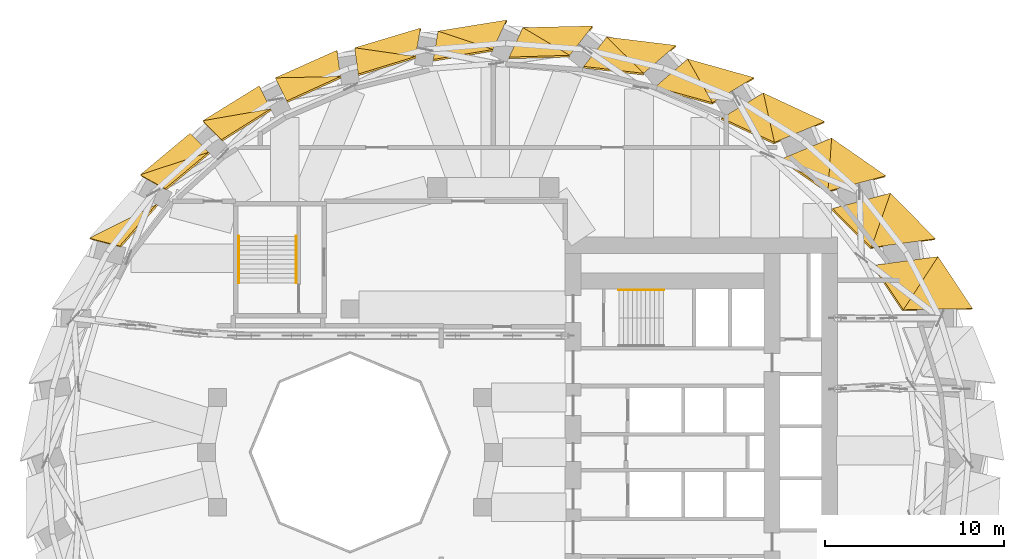
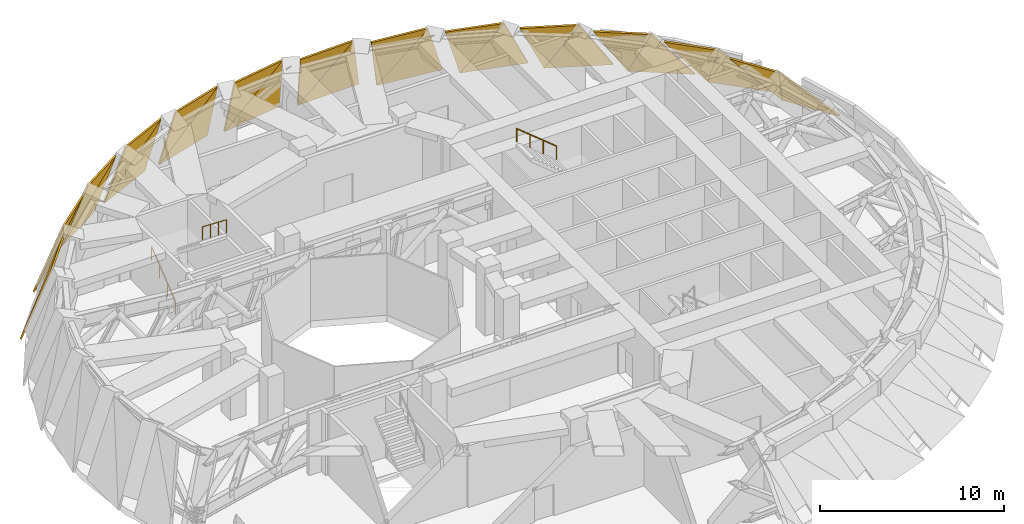
# One storey, part 14 of 14: 25 shading devices, 3 railings.
"""IFC4 building model written with IfcOpenShell, lengths in metres."""

import ifcopenshell
import ifcopenshell.guid

model = None  # the IFC model being written
_history = None  # IfcOwnerHistory: only IFC2X3 demands one
_inside = {}  # id of a spatial element -> (the spatial element, [elements in it])
_under = {}  # id of a project, library or spatial element -> (it, [spatial elements below it])
_declared = {}  # id of a project -> (the project, [libraries it declares])
_typed = {}  # id of a type object -> (the type object, [elements of that type])
_made_of = {}  # id of a material, layer set ... -> (it, [elements and type objects made of it])


def new_model(schema):
    """Start an empty IFC model of exactly this schema.

    Asked for "IFC4X3", IfcOpenShell would pick the latest addendum, in which some entities
    have other attributes; the version numbers below select the first issue.
    IFC2X3 requires an IfcOwnerHistory on every rooted entity: one is made here for all.
    """
    global model, _history
    if schema == "IFC4X3":
        model = ifcopenshell.file(schema_version=(4, 3, 0, 0))
    else:
        model = ifcopenshell.file(schema=schema)
    _inside.clear()
    _under.clear()
    _declared.clear()
    _typed.clear()
    _made_of.clear()
    _history = None
    if model.schema == "IFC2X3":
        org = make("IfcOrganization", Name="unknown")
        user = make(
            "IfcPersonAndOrganization",
            ThePerson=make("IfcPerson", FamilyName="unknown"),
            TheOrganization=org,
        )
        app = make(
            "IfcApplication",
            ApplicationDeveloper=org,
            Version="unknown",
            ApplicationFullName="unknown",
            ApplicationIdentifier="unknown",
        )
        _history = make(
            "IfcOwnerHistory",
            OwningUser=user,
            OwningApplication=app,
            ChangeAction="ADDED",
            CreationDate=0,
        )
    return model


def make(cls, **values):
    """One entity of the class cls with the attributes given. An attribute that is None is left unset."""
    return model.create_entity(
        cls, **{name: value for name, value in values.items() if value is not None}
    )


def rooted(cls, **values):
    """An entity with a GlobalId (a new one), such as an element, a storey or a relation."""
    return make(cls, GlobalId=ifcopenshell.guid.new(), OwnerHistory=_history, **values)


def si_unit(unit_type, name, prefix=None):
    """IfcSIUnit, for example si_unit("LENGTHUNIT", "METRE", prefix="MILLI")."""
    return make("IfcSIUnit", UnitType=unit_type, Prefix=prefix, Name=name)


def assignment(units):
    """IfcUnitAssignment: the units of a project."""
    return None if units is None else make("IfcUnitAssignment", Units=units)


def point(xyz):
    """IfcCartesianPoint."""
    return None if xyz is None else make("IfcCartesianPoint", Coordinates=xyz)


def direction(xyz):
    """IfcDirection."""
    return None if xyz is None else make("IfcDirection", DirectionRatios=xyz)


def frame(location, z_axis=None, x_axis=None):
    """IfcAxis2Placement3D, a coordinate frame: its origin and axes. An axis left out is left unset."""
    return make(
        "IfcAxis2Placement3D",
        Location=point(location),
        Axis=direction(z_axis),
        RefDirection=direction(x_axis),
    )


def frame_2d(location, x_axis=None):
    """IfcAxis2Placement2D, a coordinate frame in the plane: its origin and x axis."""
    return make(
        "IfcAxis2Placement2D", Location=point(location), RefDirection=direction(x_axis)
    )


def origin():
    """The frame at (0, 0, 0) with its axes left unset."""
    return frame((0.0, 0.0, 0.0))


def origin_2d():
    """The frame at (0, 0) in the plane with its x axis left unset."""
    return frame_2d((0.0, 0.0))


def place(relative_to, where):
    """IfcLocalPlacement: puts the frame where relative to a parent placement (None: the world)."""
    return make(
        "IfcLocalPlacement", PlacementRelTo=relative_to, RelativePlacement=where
    )


def context(
    kind, dimensions, precision=None, world=None, true_north=None, identifier=None
):
    """IfcGeometricRepresentationContext, for example the 3D "Model" context."""
    return make(
        "IfcGeometricRepresentationContext",
        ContextIdentifier=identifier,
        ContextType=kind,
        CoordinateSpaceDimension=dimensions,
        Precision=precision,
        WorldCoordinateSystem=world,
        TrueNorth=true_north,
    )


def subcontext(parent, identifier, kind, view, scale=None):
    """IfcGeometricRepresentationSubContext, for example "Body" below "Model"."""
    return make(
        "IfcGeometricRepresentationSubContext",
        ContextIdentifier=identifier,
        ContextType=kind,
        ParentContext=parent,
        TargetScale=scale,
        TargetView=view,
    )


def project(units=None, contexts=None):
    """IfcProject with its units and contexts."""
    return rooted(
        "IfcProject",
        Name="project",
        RepresentationContexts=contexts,
        UnitsInContext=assignment(units),
    )


def spatial(cls, under=None, at=None, **own):
    """A site, building, storey or space (cls), placed at a placement, below another one or the project."""
    s = rooted(cls, ObjectPlacement=at, **own)
    if under is not None:
        _under.setdefault(under.id(), (under, []))[1].append(s)
    return s


def polyline(points):
    """IfcPolyline through the points."""
    return make("IfcPolyline", Points=[point(p) for p in points])


def profile(cls, at=None, kind="AREA", **sizes):
    """A parametric profile (cls). Its sizes go by their IFC names, for example OverallWidth=200.0."""
    return make(cls, ProfileType=kind, Position=at, **sizes)


def circle(**sizes):
    """IfcCircleProfileDef."""
    return profile("IfcCircleProfileDef", **sizes)


def outline(outer, holes=None, kind="AREA"):
    """IfcArbitraryClosedProfileDef: a profile drawn as a closed curve; with holes, ...WithVoids."""
    if holes is None:
        return make("IfcArbitraryClosedProfileDef", ProfileType=kind, OuterCurve=outer)
    return make(
        "IfcArbitraryProfileDefWithVoids",
        ProfileType=kind,
        OuterCurve=outer,
        InnerCurves=holes,
    )


def extrude(swept, where, along, depth):
    """IfcExtrudedAreaSolid: the profile swept, set in the frame where, extruded along a direction by depth."""
    return make(
        "IfcExtrudedAreaSolid",
        SweptArea=swept,
        Position=where,
        ExtrudedDirection=direction(along),
        Depth=depth,
    )


def shape(context_of_items, identifier, shape_type, items):
    """IfcShapeRepresentation: the items that make up one representation, for example the "Body"."""
    return make(
        "IfcShapeRepresentation",
        ContextOfItems=context_of_items,
        RepresentationIdentifier=identifier,
        RepresentationType=shape_type,
        Items=items,
    )


def material(Name=None, Category=None):
    """IfcMaterial."""
    return make("IfcMaterial", Name=Name, Category=Category)


def layer(
    of_material, thickness, ventilated=None, Name=None, Category=None, Priority=None
):
    """IfcMaterialLayer: one layer of a wall or slab, of a material (None: an air gap)."""
    return make(
        "IfcMaterialLayer",
        Material=of_material,
        LayerThickness=thickness,
        IsVentilated=ventilated,
        Name=Name,
        Category=Category,
        Priority=Priority,
    )


def layer_set(layers, Name=None):
    """IfcMaterialLayerSet."""
    return make("IfcMaterialLayerSet", MaterialLayers=layers, LayerSetName=Name)


def made_of(thing, what):
    """Note that an element or type object is made of a material, layer set ...; save() writes the relation."""
    if what is not None:
        _made_of.setdefault(what.id(), (what, []))[1].append(thing)
    return thing


def type_object(cls, material=None, **own):
    """A type object (cls), such as IfcWallType, which elements share."""
    return made_of(rooted(cls, **own), material)


def element(
    cls,
    number,
    at=None,
    inside=None,
    cuts=None,
    type_object=None,
    material=None,
    context=None,
    identifier="Body",
    shape_type=None,
    held_by="IfcProductDefinitionShape",
    body=None,
    shapes=None,
    **own,
):
    """One element of the class cls, such as IfcWall. Its Tag is "e" and its number.

    at: its placement. inside: the storey or other place that contains it. cuts: it is an
    opening in that element (IfcRelVoidsElement). A single representation is given by context,
    identifier, shape_type and body (its items); several are given by shapes. held_by: the class
    of the entity that holds the representations. save() writes the other relations.
    """
    e = rooted(cls, Tag="e%d" % number, ObjectPlacement=at, **own)
    if body is not None:
        shapes = [shape(context, identifier, shape_type, body)]
    if shapes is not None:
        e.Representation = make(held_by, Representations=shapes)
    if inside is not None:
        _inside.setdefault(inside.id(), (inside, []))[1].append(e)
    if cuts is not None:
        rooted(
            "IfcRelVoidsElement", RelatingBuildingElement=cuts, RelatedOpeningElement=e
        )
    if type_object is not None:
        _typed.setdefault(type_object.id(), (type_object, []))[1].append(e)
    return made_of(e, material)


def aggregate(whole, parts):
    """IfcRelAggregates: a whole, such as a stair, and the parts it consists of."""
    return rooted("IfcRelAggregates", RelatingObject=whole, RelatedObjects=parts)


def save(model, path):
    """Write the relations noted so far, then the file.

    IfcRelAggregates (storeys below a building ...), IfcRelContainedInSpatialStructure (elements
    in a storey), IfcRelDefinesByType, IfcRelAssociatesMaterial and IfcRelDeclares: one each for
    every whole, place, type object, material and project.
    """
    for whole, parts in _under.values():
        aggregate(whole, parts)
    for where, things in _inside.values():
        rooted(
            "IfcRelContainedInSpatialStructure",
            RelatedElements=things,
            RelatingStructure=where,
        )
    for kind, things in _typed.values():
        rooted("IfcRelDefinesByType", RelatedObjects=things, RelatingType=kind)
    for what, things in _made_of.values():
        rooted("IfcRelAssociatesMaterial", RelatedObjects=things, RelatingMaterial=what)
    for by, libraries in _declared.values():
        rooted("IfcRelDeclares", RelatingContext=by, RelatedDefinitions=libraries)
    model.write(path)


model = new_model("IFC4")

# Units and contexts
model_context = context("Model", 3, precision=1e-05, world=origin(), true_north=direction((0.0, 1.0)))
body_context = subcontext(model_context, "Body", "Model", "MODEL_VIEW")
ifc_project = project(units=[si_unit("LENGTHUNIT", "METRE"), si_unit("AREAUNIT", "SQUARE_METRE"), si_unit("VOLUMEUNIT", "CUBIC_METRE"), si_unit("PLANEANGLEUNIT", "RADIAN"), si_unit("MASSUNIT", "GRAM", prefix="KILO")], contexts=[model_context])

# Site, building, storey
site_placement = place(None, origin())
site = spatial("IfcSite", under=ifc_project, at=site_placement, CompositionType="ELEMENT")
building_placement = place(site_placement, origin())
building = spatial("IfcBuilding", under=site, at=building_placement, Name="Taillehof Tower", CompositionType="ELEMENT")
storey_placement = place(building_placement, frame((0.0, 0.0, 135.10009765625)))
storey = spatial("IfcBuildingStorey", under=building, at=storey_placement, Name="L38", CompositionType="ELEMENT", Elevation=135.10009765625)

# Shading devices
ifc_material_1 = material(Name="Aluminium louvre blades", Category="aluminium")
ifc_layer = layer(ifc_material_1, 0.10009765625)
ifc_layer_set = layer_set([ifc_layer], Name="Louvre panel 100")
shading_device_type = type_object("IfcShadingDeviceType", Name="Louvre panel 100", PredefinedType="USERDEFINED", material=ifc_layer_set)
shading_device_1_placement = place(storey_placement, frame((26.7294921875, 8.012939453125, 0.0), z_axis=(0.664296800452, 0.440834753374, 0.603634393592), x_axis=(-0.55293637699, 0.833223477226, 0.0)))
element("IfcShadingDevice", 1, at=shading_device_1_placement, inside=storey, type_object=shading_device_type, Name="Louvre panel L38 bay 3a", ObjectType="LOUVER", PredefinedType="USERDEFINED", context=body_context, shape_type="SweptSolid", body=[
    extrude(outline(polyline([(0.0, 0.0), (3.4841507125309175, 1.1102230246251565e-16), (2.080893379414813, 5.387094649061778), (0.0, 0.0)])), origin(), (0.0, 0.0, -1.0), 0.10009765625),
])
shading_device_2_placement = place(storey_placement, frame((24.802978515625, 10.916015625, 0.0), z_axis=(0.66305429446, 0.442188442585, 0.604010251438), x_axis=(-0.63872939001, -0.086572017752, 0.764545650749)))
element("IfcShadingDevice", 2, at=shading_device_2_placement, inside=storey, type_object=shading_device_type, Name="Louvre panel L38 bay 3b", ObjectType="LOUVER", PredefinedType="USERDEFINED", context=body_context, shape_type="SweptSolid", body=[
    extrude(outline(polyline([(0.0, 0.0), (5.6176133770317715, 1.1102230246251565e-16), (4.77559085952586, 2.8607082765125194), (0.0, 0.0)])), origin(), (0.0, 0.0, -1.0), 0.10009765625),
])
shading_device_3_placement = place(storey_placement, frame((24.668701171875, 11.906982421875, 0.0), z_axis=(0.589632812874, 0.58330361266, 0.558650195955), x_axis=(-0.703280973046, 0.710912000849, 0.0)))
element("IfcShadingDevice", 3, at=shading_device_3_placement, inside=storey, type_object=shading_device_type, Name="Louvre panel L38 bay 4a", ObjectType="LOUVER", PredefinedType="USERDEFINED", context=body_context, shape_type="SweptSolid", body=[
    extrude(outline(polyline([(0.0, 0.0), (3.583232915195751, 0.0), (2.177730408976691, 5.178326980755902), (0.0, 0.0)])), origin(), (0.0, 0.0, -1.0), 0.10009765625),
])
shading_device_4_placement = place(storey_placement, frame((22.148681640625, 14.454345703125, 0.0), z_axis=(0.58819778332, 0.58437103386, 0.55904728108), x_axis=(-0.593601169855, -0.157507081874, 0.789195267539)))
element("IfcShadingDevice", 4, at=shading_device_4_placement, inside=storey, type_object=shading_device_type, Name="Louvre panel L38 bay 4b", ObjectType="LOUVER", PredefinedType="USERDEFINED", context=body_context, shape_type="SweptSolid", body=[
    extrude(outline(polyline([(0.0, 0.0), (5.4421536109694975, 2.220446049250313e-16), (4.501394351571615, 2.9202665128805867), (0.0, 0.0)])), origin(), (0.0, 0.0, -1.0), 0.10009765625),
])
shading_device_5_placement = place(storey_placement, frame((21.89208984375, 15.4208984375, 0.0), z_axis=(0.491062576209, 0.706052028522, 0.510243157001), x_axis=(-0.820961915131, 0.570982954128, 0.0)))
element("IfcShadingDevice", 5, at=shading_device_5_placement, inside=storey, type_object=shading_device_type, Name="Louvre panel L38 bay 5a", ObjectType="LOUVER", PredefinedType="USERDEFINED", context=body_context, shape_type="SweptSolid", body=[
    extrude(outline(polyline([(0.0, 0.0), (3.6848804172512413, 1.1102230246251565e-16), (2.162457506629466, 4.993919917228902), (0.0, 0.0)])), origin(), (0.0, 0.0, -1.0), 0.10009765625),
])
shading_device_6_placement = place(storey_placement, frame((18.866943359375, 17.52490234375, 0.0), z_axis=(0.489136424223, 0.706988217512, 0.510796651122), x_axis=(-0.53287211915, -0.221403305125, 0.816717748744)))
element("IfcShadingDevice", 6, at=shading_device_6_placement, inside=storey, type_object=shading_device_type, Name="Louvre panel L38 bay 5b", ObjectType="LOUVER", PredefinedType="USERDEFINED", context=body_context, shape_type="SweptSolid", body=[
    extrude(outline(polyline([(0.0, 0.0), (5.25875907754806, 0.0), (4.272634742149303, 3.000266657925652), (0.0, 0.0)])), origin(), (0.0, 0.0, -1.0), 0.10009765625),
])
shading_device_7_placement = place(storey_placement, frame((18.483154296875, 18.448486328125, 0.0), z_axis=(0.374085924968, 0.804069746771, 0.462094755507), x_axis=(-0.906677989805, 0.421823449802, 0.0)))
element("IfcShadingDevice", 7, at=shading_device_7_placement, inside=storey, type_object=shading_device_type, Name="Louvre panel L38 bay 6a", ObjectType="LOUVER", PredefinedType="USERDEFINED", context=body_context, shape_type="SweptSolid", body=[
    extrude(outline(polyline([(0.0, 0.0), (3.7765031291444155, -1.1102230246251565e-16), (2.0495000272033237, 4.843001676945219), (0.0, 0.0)])), origin(), (0.0, 0.0, -1.0), 0.10009765625),
])
shading_device_8_placement = place(storey_placement, frame((15.05908203125, 20.04150390625, 0.0), z_axis=(0.371315183708, 0.804838843276, 0.462989709067), x_axis=(-0.457178567526, -0.275528077916, 0.845619320779)))
element("IfcShadingDevice", 8, at=shading_device_8_placement, inside=storey, type_object=shading_device_type, Name="Louvre panel L38 bay 6b", ObjectType="LOUVER", PredefinedType="USERDEFINED", context=body_context, shape_type="SweptSolid", body=[
    extrude(outline(polyline([(0.0, 0.0), (5.079025241576907, 0.0), (4.107370830008042, 3.0930098321549853), (0.0, 0.0)])), origin(), (0.0, 0.0, -1.0), 0.10009765625),
])
shading_device_9_placement = place(storey_placement, frame((14.54296875, 20.89794921875, 0.0), z_axis=(0.245354448276, 0.874832221778, 0.417695796543), x_axis=(-0.962849218316, 0.270039594852, 0.0)))
element("IfcShadingDevice", 9, at=shading_device_9_placement, inside=storey, type_object=shading_device_type, Name="Louvre panel L38 bay 7a", ObjectType="LOUVER", PredefinedType="USERDEFINED", context=body_context, shape_type="SweptSolid", body=[
    extrude(outline(polyline([(0.0, 0.0), (3.846007172832257, 0.0), (1.8578593646759982, 4.727034586890712), (0.0, 0.0)])), origin(), (0.0, 0.0, -1.0), 0.10009765625),
])
shading_device_10_placement = place(storey_placement, frame((10.83984375, 21.9365234375, 0.0), z_axis=(0.24151743462, 0.875207759332, 0.419142823843), x_axis=(-0.368342099536, -0.316921264222, 0.874005154443)))
element("IfcShadingDevice", 10, at=shading_device_10_placement, inside=storey, type_object=shading_device_type, Name="Louvre panel L38 bay 7b", ObjectType="LOUVER", PredefinedType="USERDEFINED", context=body_context, shape_type="SweptSolid", body=[
    extrude(outline(polyline([(0.0, 0.0), (4.914069274266945, 2.220446049250313e-16), (4.017715616310518, 3.1867771994904457), (0.0, 0.0)])), origin(), (0.0, 0.0, -1.0), 0.10009765625),
])
shading_device_11_placement = place(storey_placement, frame((10.1875, 22.694580078125, 0.0), z_axis=(0.111344435375, 0.91830102703, 0.37990214591), x_axis=(-0.992729233052, 0.12036889068, 0.0)))
element("IfcShadingDevice", 11, at=shading_device_11_placement, inside=storey, type_object=shading_device_type, Name="Louvre panel L38 bay 8a", ObjectType="LOUVER", PredefinedType="USERDEFINED", context=body_context, shape_type="SweptSolid", body=[
    extrude(outline(polyline([(0.0, 0.0), (3.886165560359912, -2.7755575615628914e-17), (1.6091964479900442, 4.64302486166105), (0.0, 0.0)])), origin(), (0.0, 0.0, -1.0), 0.10009765625),
])
shading_device_12_placement = place(storey_placement, frame((6.32958984375, 23.162353515625, 0.0), z_axis=(0.106606713303, 0.917987316255, 0.382013476037), x_axis=(-0.269449355791, -0.343154086561, 0.899801265581)))
element("IfcShadingDevice", 12, at=shading_device_12_placement, inside=storey, type_object=shading_device_type, Name="Louvre panel L38 bay 8b", ObjectType="LOUVER", PredefinedType="USERDEFINED", context=body_context, shape_type="SweptSolid", body=[
    extrude(outline(polyline([(0.0, 0.0), (4.773189413363574, 0.0), (4.007655362886458, 3.268174826568559), (0.0, 0.0)])), origin(), (0.0, 0.0, -1.0), 0.10009765625),
])
shading_device_13_placement = place(storey_placement, frame((5.54296875, 23.77978515625, 0.0), z_axis=(-0.022017696718, 0.936309892172, 0.350483960907), x_axis=(-0.99972362772, -0.023508895742, 0.0)))
element("IfcShadingDevice", 13, at=shading_device_13_placement, inside=storey, type_object=shading_device_type, Name="Louvre panel L38 bay 9a", ObjectType="LOUVER", PredefinedType="USERDEFINED", context=body_context, shape_type="SweptSolid", body=[
    extrude(outline(polyline([(0.0, 0.0), (3.894386847448472, 6.938893903907228e-18), (1.324283508876754, 4.585805312479279), (0.0, 0.0)])), origin(), (0.0, 0.0, -1.0), 0.10009765625),
])
shading_device_14_placement = place(storey_placement, frame((1.649658203125, 23.688232421875, 0.0), z_axis=(-0.027395610427, 0.93510350257, 0.353314194465), x_axis=(-0.164665641848, -0.352839987412, 0.921080436052)))
element("IfcShadingDevice", 14, at=shading_device_14_placement, inside=storey, type_object=shading_device_type, Name="Louvre panel L38 bay 9b", ObjectType="LOUVER", PredefinedType="USERDEFINED", context=body_context, shape_type="SweptSolid", body=[
    extrude(outline(polyline([(0.0, 0.0), (4.66291727290273, -1.1102230246251565e-16), (4.072282988770948, 3.3243875818363033), (0.0, 0.0)])), origin(), (0.0, 0.0, -1.0), 0.10009765625),
])
shading_device_15_placement = place(storey_placement, frame((0.743408203125, 24.111083984375, 0.0), z_axis=(-0.150477204781, 0.931899557645, 0.33003003697), x_axis=(-0.987212657295, -0.159408811793, 0.0)))
element("IfcShadingDevice", 15, at=shading_device_15_placement, inside=storey, type_object=shading_device_type, Name="Louvre panel L38 bay 10a", ObjectType="LOUVER", PredefinedType="USERDEFINED", context=body_context, shape_type="SweptSolid", body=[
    extrude(outline(polyline([(0.0, 0.0), (3.8732591610286002, -2.7755575615628914e-17), (1.0202344680301256, 4.549847891125624), (0.0, 0.0)])), origin(), (0.0, 0.0, -1.0), 0.10009765625),
])
shading_device_16_placement = place(storey_placement, frame((-3.080322265625, 23.49365234375, 0.0), z_axis=(-0.155890808891, 0.929813904802, 0.333382900193), x_axis=(-0.058560819566, -0.345615309656, 0.936547216185)))
element("IfcShadingDevice", 16, at=shading_device_16_placement, inside=storey, type_object=shading_device_type, Name="Louvre panel L38 bay 10b", ObjectType="LOUVER", PredefinedType="USERDEFINED", context=body_context, shape_type="SweptSolid", body=[
    extrude(outline(polyline([(0.0, 0.0), (4.58591067356666, 5.551115123125783e-17), (4.198590743885619, 3.348537217442465), (0.0, 0.0)])), origin(), (0.0, 0.0, -1.0), 0.10009765625),
])
shading_device_17_placement = place(storey_placement, frame((-4.066162109375, 23.660888671875, 0.0), z_axis=(-0.272268257721, 0.908124936853, 0.31808661541), x_axis=(-0.957875398017, -0.287184125387, 0.0)))
element("IfcShadingDevice", 17, at=shading_device_17_placement, inside=storey, type_object=shading_device_type, Name="Louvre panel L38 bay 11a", ObjectType="LOUVER", PredefinedType="USERDEFINED", context=body_context, shape_type="SweptSolid", body=[
    extrude(outline(polyline([(0.0, 0.0), (3.829785208854439, 0.0), (0.7126514050851884, 4.5302136672110604), (0.0, 0.0)])), origin(), (0.0, 0.0, -1.0), 0.10009765625),
])
shading_device_18_placement = place(storey_placement, frame((-7.734619140625, 22.56103515625, 0.0), z_axis=(-0.277119460241, 0.905409014935, 0.321619838366), x_axis=(0.044614153464, -0.32224319279, 0.945605045466)))
element("IfcShadingDevice", 18, at=shading_device_18_placement, inside=storey, type_object=shading_device_type, Name="Louvre panel L38 bay 11b", ObjectType="LOUVER", PredefinedType="USERDEFINED", context=body_context, shape_type="SweptSolid", body=[
    extrude(outline(polyline([(0.0, 0.0), (4.541982824217078, -2.7755575615628914e-17), (4.369295232153034, 3.3389546560969636), (0.0, 0.0)])), origin(), (0.0, 0.0, -1.0), 0.10009765625),
])
shading_device_19_placement = place(storey_placement, frame((-8.72509765625, 22.424072265625, 0.0), z_axis=(-0.388069418936, 0.866606368024, 0.313680616211), x_axis=(-0.912670152175, -0.408696945584, 0.0)))
element("IfcShadingDevice", 19, at=shading_device_19_placement, inside=storey, type_object=shading_device_type, Name="Louvre panel L38 bay 12a", ObjectType="LOUVER", PredefinedType="USERDEFINED", context=body_context, shape_type="SweptSolid", body=[
    extrude(outline(polyline([(0.0, 0.0), (3.769363486554338, 0.0), (0.4133375633339239, 4.523215090343993), (0.0, 0.0)])), origin(), (0.0, 0.0, -1.0), 0.10009765625),
])
shading_device_20_placement = place(storey_placement, frame((-12.165283203125, 20.883544921875, 0.0), z_axis=(-0.392039708974, 0.863568751741, 0.317102314095), x_axis=(0.141397825763, -0.284035510464, 0.94833036631)))
element("IfcShadingDevice", 20, at=shading_device_20_placement, inside=storey, type_object=shading_device_type, Name="Louvre panel L38 bay 12b", ObjectType="LOUVER", PredefinedType="USERDEFINED", context=body_context, shape_type="SweptSolid", body=[
    extrude(outline(polyline([(0.0, 0.0), (4.528930030695831, -1.1796119636642288e-16), (4.566317776378739, 3.2971391714591882), (0.0, 0.0)])), origin(), (0.0, 0.0, -1.0), 0.10009765625),
])
shading_device_21_placement = place(storey_placement, frame((-13.060546875, 20.43798828125, 0.0), z_axis=(-0.499066256231, 0.806863458951, 0.316076304872), x_axis=(-0.850463515739, -0.526034037299, 0.0)))
element("IfcShadingDevice", 21, at=shading_device_21_placement, inside=storey, type_object=shading_device_type, Name="Louvre panel L38 bay 13a", ObjectType="LOUVER", PredefinedType="USERDEFINED", context=body_context, shape_type="SweptSolid", body=[
    extrude(outline(polyline([(0.0, 0.0), (3.6971452051573985, -1.1102230246251565e-16), (0.1320575050649793, 4.527004311715922), (0.0, 0.0)])), origin(), (0.0, 0.0, -1.0), 0.10009765625),
])
shading_device_22_placement = place(storey_placement, frame((-16.204833984375, 18.4931640625, 0.0), z_axis=(-0.501954355331, 0.803885013289, 0.319077906747), x_axis=(0.228968817496, -0.232246709509, 0.945322562164)))
element("IfcShadingDevice", 22, at=shading_device_22_placement, inside=storey, type_object=shading_device_type, Name="Louvre panel L38 bay 13b", ObjectType="LOUVER", PredefinedType="USERDEFINED", context=body_context, shape_type="SweptSolid", body=[
    extrude(outline(polyline([(0.0, 0.0), (4.543340069199539, 5.551115123125783e-17), (4.773735289762881, 3.2272387161344787), (0.0, 0.0)])), origin(), (0.0, 0.0, -1.0), 0.10009765625),
])
shading_device_23_placement = place(storey_placement, frame((-16.9169921875, 17.791015625, 0.0), z_axis=(-0.605392593448, 0.726496621148, 0.325119158554), x_axis=(-0.768232334585, -0.640171133446, 0.0)))
element("IfcShadingDevice", 23, at=shading_device_23_placement, inside=storey, type_object=shading_device_type, Name="Louvre panel L38 bay 14a", ObjectType="LOUVER", PredefinedType="USERDEFINED", context=body_context, shape_type="SweptSolid", body=[
    extrude(outline(polyline([(0.0, 0.0), (3.6203240540525474, 0.0), (-0.12368611789887538, 4.541656165831269), (0.0, 0.0)])), origin(), (0.0, 0.0, -1.0), 0.10009765625),
])
shading_device_24_placement = place(storey_placement, frame((-19.6982421875, 15.473388671875, 0.0), z_axis=(-0.606896466004, 0.724355597136, 0.327086606956), x_axis=(0.304416735995, -0.16830323044, 0.937552384387)))
element("IfcShadingDevice", 24, at=shading_device_24_placement, inside=storey, type_object=shading_device_type, Name="Louvre panel L38 bay 14b", ObjectType="LOUVER", PredefinedType="USERDEFINED", context=body_context, shape_type="SweptSolid", body=[
    extrude(outline(polyline([(0.0, 0.0), (4.580994029264591, 0.0), (4.97757829835433, 3.1413320709630357), (0.0, 0.0)])), origin(), (0.0, 0.0, -1.0), 0.10009765625),
])
shading_device_25_placement = place(storey_placement, frame((-22.531005859375, 11.940185546875, 0.0), z_axis=(-0.704970604305, 0.621719190223, 0.341294148169), x_axis=(0.365297203107, -0.094180241585, 0.926114482932)))
element("IfcShadingDevice", 25, at=shading_device_25_placement, inside=storey, type_object=shading_device_type, Name="Louvre panel L38 bay 15b", ObjectType="LOUVER", PredefinedType="USERDEFINED", context=body_context, shape_type="SweptSolid", body=[
    extrude(outline(polyline([(0.0, 0.0), (4.637571222730047, 1.1102230246251565e-16), (5.167331277289813, 3.052666917453548), (0.0, 0.0)])), origin(), (0.0, 0.0, -1.0), 0.10009765625),
])

# Railings
ifc_material_2 = material(Name="Stainless steel", Category="steel")
railing_type = type_object("IfcRailingType", Name="Stair handrail 900", PredefinedType="HANDRAIL", material=ifc_material_2)
railing_1_placement = place(storey_placement, frame((9.5, 9.050048828125, 2.454345703125)))
element("IfcRailing", 26, at=railing_1_placement, inside=storey, type_object=railing_type, Name="Stair S1 handrail", PredefinedType="HANDRAIL", context=body_context, shape_type="SweptSolid", body=[
    extrude(circle(Radius=0.02392578125, at=origin_2d()), frame((0.0, 0.0, 0.8759765625), z_axis=(-0.773926991963, 0.0, 0.633274830631), x_axis=(0.0, -1.0, 0.0)), (0.0, 0.0, 1.0), 3.230224609375),
    extrude(circle(Radius=0.02099609375, at=origin_2d()), origin(), (0.0, 0.0, 1.0), 0.851806640625),
    extrude(circle(Radius=0.02099609375, at=origin_2d()), frame((-0.833251953125, 0.0, 0.681884765625)), (0.0, 0.0, 1.0), 0.851806640625),
    extrude(circle(Radius=0.02099609375, at=origin_2d()), frame((-1.666748046875, 0.0, 1.36376953125)), (0.0, 0.0, 1.0), 0.851806640625),
    extrude(circle(Radius=0.02099609375, at=origin_2d()), frame((-2.5, 0.0, 2.045654296875)), (0.0, 0.0, 1.0), 0.851806640625),
])
railing_2_placement = place(storey_placement, frame((-14.199951171875, 9.449951171875, 0.204345703125)))
element("IfcRailing", 27, at=railing_2_placement, inside=storey, type_object=railing_type, Name="Stair S3 handrail", PredefinedType="HANDRAIL", context=body_context, shape_type="SweptSolid", body=[
    extrude(circle(Radius=0.02392578125, at=origin_2d()), frame((0.0, 0.0, 0.8759765625), z_axis=(0.0, 0.785918702737, 0.618329841337), x_axis=(-1.0, 0.0, 0.0)), (0.0, 0.0, 1.0), 3.308349609375),
    extrude(circle(Radius=0.02099609375, at=origin_2d()), origin(), (0.0, 0.0, 1.0), 0.851806640625),
    extrude(circle(Radius=0.02099609375, at=origin_2d()), frame((0.0, 0.86669921875, 0.681884765625)), (0.0, 0.0, 1.0), 0.851806640625),
    extrude(circle(Radius=0.02099609375, at=origin_2d()), frame((0.0, 1.7333984375, 1.36376953125)), (0.0, 0.0, 1.0), 0.851806640625),
    extrude(circle(Radius=0.02099609375, at=origin_2d()), frame((0.0, 2.60009765625, 2.045654296875)), (0.0, 0.0, 1.0), 0.851806640625),
])
railing_3_placement = place(storey_placement, frame((-11.0, 12.050048828125, 2.454345703125)))
element("IfcRailing", 28, at=railing_3_placement, inside=storey, type_object=railing_type, Name="Stair S3 handrail", PredefinedType="HANDRAIL", context=body_context, shape_type="SweptSolid", body=[
    extrude(circle(Radius=0.02392578125, at=origin_2d()), frame((0.0, 0.0, 0.8759765625), z_axis=(0.0, -0.785918702737, 0.618329841337), x_axis=(1.0, 0.0, 0.0)), (0.0, 0.0, 1.0), 3.308349609375),
    extrude(circle(Radius=0.02099609375, at=origin_2d()), origin(), (0.0, 0.0, 1.0), 0.851806640625),
    extrude(circle(Radius=0.02099609375, at=origin_2d()), frame((0.0, -0.86669921875, 0.681884765625)), (0.0, 0.0, 1.0), 0.851806640625),
    extrude(circle(Radius=0.02099609375, at=origin_2d()), frame((0.0, -1.7333984375, 1.36376953125)), (0.0, 0.0, 1.0), 0.851806640625),
    extrude(circle(Radius=0.02099609375, at=origin_2d()), frame((0.0, -2.60009765625, 2.045654296875)), (0.0, 0.0, 1.0), 0.851806640625),
])

save(model, "model.ifc")
